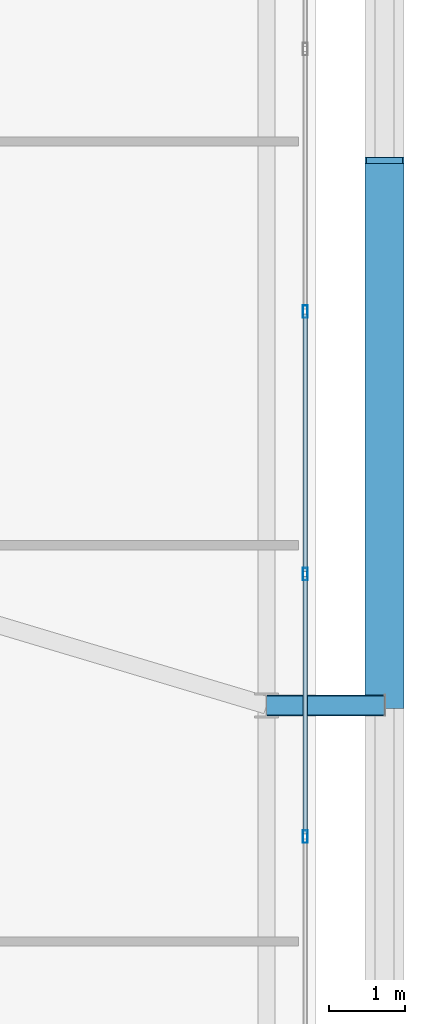
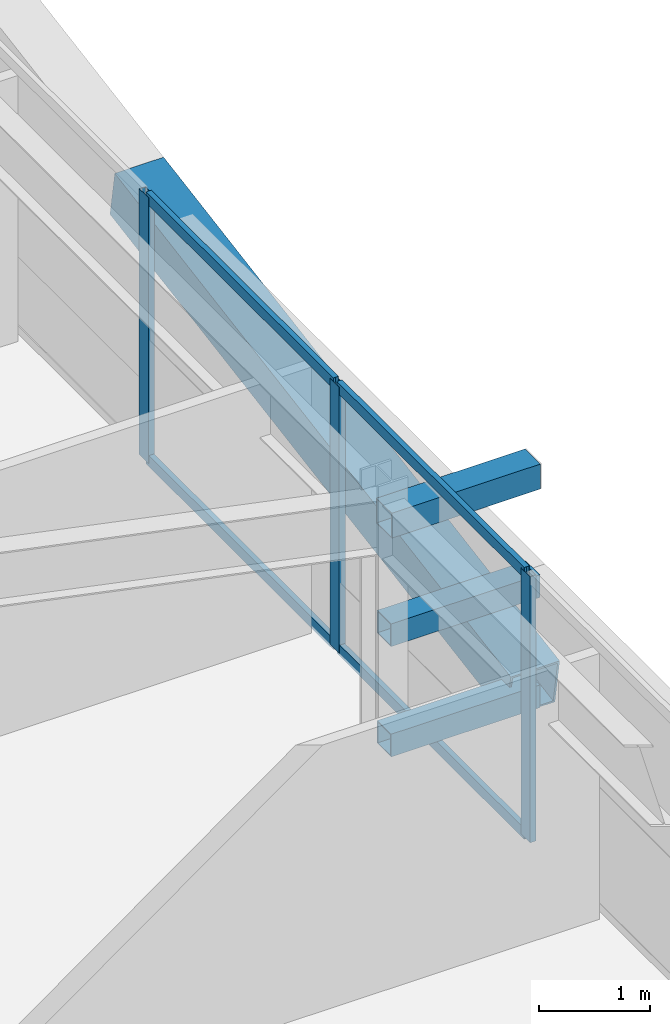
# One storey, part 30 of 58: 11 members, 1 element without a shape of its own.
"""IFC4 building model written with IfcOpenShell, lengths in metres."""

from ifc_helpers import new_model, si_unit, direction, frame, origin, origin_2d, place, context, subcontext, project, spatial, hollow_rectangle, extrude, source, transform, mapped, material, layer, layer_set, material_profile, profile_set, type_object, element, aggregate, save


model = new_model("IFC4")

# Units and contexts
model_context = context("Model", 3, precision=1e-05, world=origin(), true_north=direction((0.0, 1.0)))
body_context = subcontext(model_context, "Body", "Model", "MODEL_VIEW")
ifc_project = project(units=[si_unit("LENGTHUNIT", "METRE"), si_unit("AREAUNIT", "SQUARE_METRE"), si_unit("VOLUMEUNIT", "CUBIC_METRE"), si_unit("PLANEANGLEUNIT", "RADIAN"), si_unit("MASSUNIT", "GRAM", prefix="KILO")], contexts=[model_context])

# Site, building, storey
site_placement = place(None, origin())
site = spatial("IfcSite", under=ifc_project, at=site_placement, CompositionType="ELEMENT")
building_placement = place(site_placement, origin())
building = spatial("IfcBuilding", under=site, at=building_placement, Name="Taldren Reach Tower", CompositionType="ELEMENT")
storey_placement = place(building_placement, frame((0.0, 0.0, 51.449951171875)))
storey = spatial("IfcBuildingStorey", under=building, at=storey_placement, Name="L15", CompositionType="ELEMENT", Elevation=51.449951171875)

# Members
ifc_material_1 = material(Name="Steel Gr 450 (C450L0)", Category="steel")
ifc_material_profile_1 = material_profile(ifc_material_1, hollow_rectangle(XDim=0.27490234375, YDim=0.27490234375, WallThickness=0.00927734375, at=origin_2d()), Name="275x275x9.3SHS")
ifc_profile_set_1 = profile_set([ifc_material_profile_1], Name="Steel Gr 450 (C450L0)")
member_type_1 = type_object("IfcMemberType", Name="MB-TIE273", PredefinedType="STRUT", material=ifc_profile_set_1)
shared_shape_1 = source(origin(), body_context, "Body", "SweptSolid", [
    extrude(hollow_rectangle(XDim=0.27490234375, YDim=0.27490234375, WallThickness=0.00927734375, at=origin_2d()), origin(), (0.0, 0.0, 1.0), 1.5498046875),
])
member_1_placement = place(storey_placement, frame((64.35009765625, 20.0, 2.650146484375), z_axis=(1.0, 0.0, 0.0), x_axis=(0.0, 1.0, 0.0)))
element("IfcMember", 1, at=member_1_placement, inside=storey, type_object=member_type_1, Name="Exoskeleton diaphragm tie strut B1-E2 L15", PredefinedType="STRUT", context=body_context, shape_type="MappedRepresentation", body=[
    mapped(shared_shape_1, transform((0.0, 0.0, 0.0), scale=1.0)),
])
ifc_material_2 = material(Name="Steel Gr 350 (C350L0)", Category="steel")
ifc_material_profile_2 = material_profile(ifc_material_2, hollow_rectangle(XDim=0.25, YDim=0.25, WallThickness=0.010009765625, at=origin_2d()), Name="250x250x10.0SHS")
ifc_profile_set_2 = profile_set([ifc_material_profile_2], Name="Steel Gr 350 (C350L0)")
member_type_2 = type_object("IfcMemberType", Name="MB-POST250", PredefinedType="POST", material=ifc_profile_set_2)
shared_shape_2 = source(origin(), body_context, "Body", "SweptSolid", [
    extrude(hollow_rectangle(XDim=0.25, YDim=0.25, WallThickness=0.010009765625, at=origin_2d()), origin(), (0.0, 0.0, 1.0), 1.5498046875),
])
for number, where, z_axis, x_axis, name in (
    (2, (64.35009765625, 20.0, 0.219970703125), (1.0, 0.0, 0.0), (0.0, 1.0, 0.0), "Exoskeleton base diaphragm tie strut B1-E2 L15"),
    (3, (64.35009765625, 20.0, 1.43505859375), (1.0, 0.0, 0.0), (0.0, 1.0, 0.0), "Exoskeleton mid-tier diaphragm tie B1-E2 L15"),
):
    element("IfcMember", number, at=place(storey_placement, frame(where, z_axis=z_axis, x_axis=x_axis)), inside=storey, type_object=member_type_2, Name=name, PredefinedType="POST", context=body_context, shape_type="MappedRepresentation", body=[
        mapped(shared_shape_2, transform((0.0, 0.0, 0.0), scale=1.0)),
    ])
ifc_material_profile_3 = material_profile(ifc_material_1, hollow_rectangle(XDim=0.510009765625, YDim=0.510009765625, WallThickness=0.02001953125, at=origin_2d()), Name="510x510x20.0SHS")
ifc_profile_set_3 = profile_set([ifc_material_profile_3], Name="Steel Gr 450 (C450L0)")
member_type_3 = type_object("IfcMemberType", Name="MB-EXO508", PredefinedType="BRACE", material=ifc_profile_set_3)
shared_shape_3 = source(origin(), body_context, "Body", "SweptSolid", [
    extrude(hollow_rectangle(XDim=0.510009765625, YDim=0.510009765625, WallThickness=0.02001953125, at=origin_2d()), origin(), (0.0, 0.0, 1.0), 7.25244140625),
])
member_2_placement = place(storey_placement, frame((65.89990234375, 20.0, 0.219970703125), z_axis=(0.0, 0.985864855729, 0.167542490848), x_axis=(-1.0, 0.0, 0.0)))
element("IfcMember", 4, at=member_2_placement, inside=storey, type_object=member_type_3, Name="Exoskeleton Diagrid Brace B1-E2 L15", PredefinedType="BRACE", context=body_context, shape_type="MappedRepresentation", body=[
    mapped(shared_shape_3, transform((0.0, 0.0, 0.0), scale=1.0)),
])

# Curtain wall, members
ifc_material_3 = material(Name="Aluminium and Low-E Glass Unitised System", Category="aluminium")
ifc_layer = layer(ifc_material_3, 0.159912109375)
ifc_layer_set = layer_set([ifc_layer], Name="Aluminium and Low-E Glass Unitised System")
curtain_wall_type = type_object("IfcCurtainWallType", Name="CW-SYS-2", PredefinedType="NOTDEFINED", material=ifc_layer_set)
curtain_wall_placement = place(storey_placement, origin())
curtain_wall = element("IfcCurtainWall", 5, at=curtain_wall_placement, inside=storey, type_object=curtain_wall_type, Name="Unitised curtain wall CW-L15-E", PredefinedType="NOTDEFINED")
ifc_material_4 = material(Name="Anodised Aluminium 6063-T6", Category="aluminium")
ifc_material_profile_4 = material_profile(ifc_material_4, hollow_rectangle(XDim=0.06494140625, YDim=0.1650390625, WallThickness=0.00390625, at=origin_2d()), Name="ALU-165x65x4RHS")
ifc_profile_set_4 = profile_set([ifc_material_profile_4], Name="Anodised Aluminium 6063-T6")
member_type_4 = type_object("IfcMemberType", Name="CW-MUL-165", PredefinedType="MULLION", material=ifc_profile_set_4)
shared_shape_4 = source(origin(), body_context, "Body", "SweptSolid", [
    extrude(hollow_rectangle(XDim=0.06494140625, YDim=0.1650390625, WallThickness=0.00390625, at=origin_2d()), origin(), (0.0, 0.0, 1.0), 2.929931640625),
])
member_3_placement = place(storey_placement, frame((64.860107421875, 18.27783203125, 0.0), z_axis=(0.0, 0.0, 1.0), x_axis=(-1.0, 0.0, 0.0)))
member_3 = element("IfcMember", 6, at=member_3_placement, type_object=member_type_4, Name="CW-2 mullion 5", PredefinedType="MULLION", context=body_context, shape_type="MappedRepresentation", body=[
    mapped(shared_shape_4, transform((0.0, 0.0, 0.0), scale=1.0)),
])
member_4_placement = place(storey_placement, frame((64.860107421875, 21.72216796875, 0.0), z_axis=(0.0, 0.0, 1.0), x_axis=(-1.0, 0.0, 0.0)))
member_4 = element("IfcMember", 7, at=member_4_placement, type_object=member_type_4, Name="CW-2 mullion 6", PredefinedType="MULLION", context=body_context, shape_type="MappedRepresentation", body=[
    mapped(shared_shape_4, transform((0.0, 0.0, 0.0), scale=1.0)),
])
member_5_placement = place(storey_placement, frame((64.860107421875, 25.166748046875, 0.0), z_axis=(0.0, 0.0, 1.0), x_axis=(-1.0, 0.0, 0.0)))
member_5 = element("IfcMember", 8, at=member_5_placement, type_object=member_type_4, Name="CW-2 mullion 7", PredefinedType="MULLION", context=body_context, shape_type="MappedRepresentation", body=[
    mapped(shared_shape_4, transform((0.0, 0.0, 0.0), scale=1.0)),
])
ifc_material_profile_5 = material_profile(ifc_material_4, hollow_rectangle(XDim=0.054931640625, YDim=0.1201171875, WallThickness=0.0029296875, at=origin_2d()), Name="ALU-120x55x3RHS")
ifc_profile_set_5 = profile_set([ifc_material_profile_5], Name="Anodised Aluminium 6063-T6")
member_type_5 = type_object("IfcMemberType", Name="CW-TRN-135", PredefinedType="USERDEFINED", material=ifc_profile_set_5)
shared_shape_5 = source(origin(), body_context, "Body", "SweptSolid", [
    extrude(hollow_rectangle(XDim=0.054931640625, YDim=0.1201171875, WallThickness=0.0029296875, at=origin_2d()), origin(), (0.0, 0.0, 1.0), 3.37939453125),
])
member_6_placement = place(storey_placement, frame((64.860107421875, 18.310302734375, 0.027587890625), z_axis=(0.0, 1.0, 0.0), x_axis=(-1.0, 0.0, 0.0)))
member_6 = element("IfcMember", 9, at=member_6_placement, type_object=member_type_5, Name="CW-2 transom 5.1", ObjectType="TRANSOM", PredefinedType="USERDEFINED", context=body_context, shape_type="MappedRepresentation", body=[
    mapped(shared_shape_5, transform((0.0, 0.0, 0.0), scale=1.0)),
])
member_7_placement = place(storey_placement, frame((64.860107421875, 18.310302734375, 2.902587890625), z_axis=(0.0, 1.0, 0.0), x_axis=(-1.0, 0.0, 0.0)))
member_7 = element("IfcMember", 10, at=member_7_placement, type_object=member_type_5, Name="CW-2 transom 5.2", ObjectType="TRANSOM", PredefinedType="USERDEFINED", context=body_context, shape_type="MappedRepresentation", body=[
    mapped(shared_shape_5, transform((0.0, 0.0, 0.0), scale=1.0)),
])
shared_shape_6 = source(origin(), body_context, "Body", "SweptSolid", [
    extrude(hollow_rectangle(XDim=0.054931640625, YDim=0.1201171875, WallThickness=0.0029296875, at=origin_2d()), origin(), (0.0, 0.0, 1.0), 3.379638671875),
])
member_8_placement = place(storey_placement, frame((64.860107421875, 21.754638671875, 0.027587890625), z_axis=(0.0, 1.0, 0.0), x_axis=(-1.0, 0.0, 0.0)))
member_8 = element("IfcMember", 11, at=member_8_placement, type_object=member_type_5, Name="CW-2 transom 6.1", ObjectType="TRANSOM", PredefinedType="USERDEFINED", context=body_context, shape_type="MappedRepresentation", body=[
    mapped(shared_shape_6, transform((0.0, 0.0, 0.0), scale=1.0)),
])
member_9_placement = place(storey_placement, frame((64.860107421875, 21.754638671875, 2.902587890625), z_axis=(0.0, 1.0, 0.0), x_axis=(-1.0, 0.0, 0.0)))
member_9 = element("IfcMember", 12, at=member_9_placement, type_object=member_type_5, Name="CW-2 transom 6.2", ObjectType="TRANSOM", PredefinedType="USERDEFINED", context=body_context, shape_type="MappedRepresentation", body=[
    mapped(shared_shape_6, transform((0.0, 0.0, 0.0), scale=1.0)),
])
aggregate(curtain_wall, [member_3, member_4, member_5, member_6, member_7, member_8, member_9])

save(model, "model.ifc")
